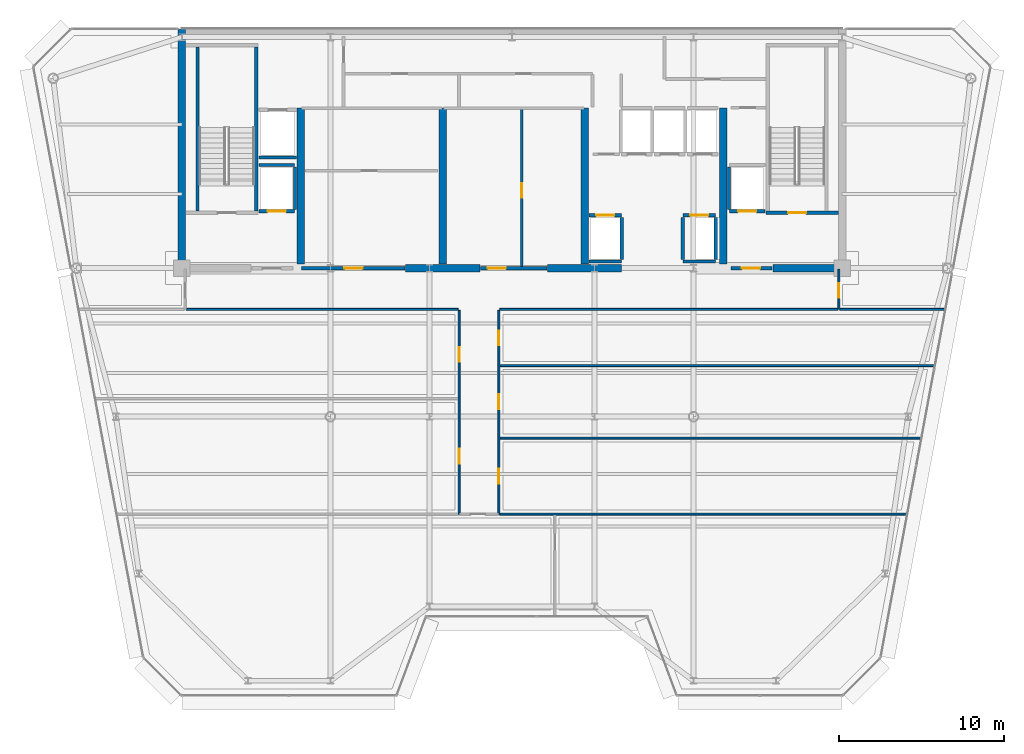
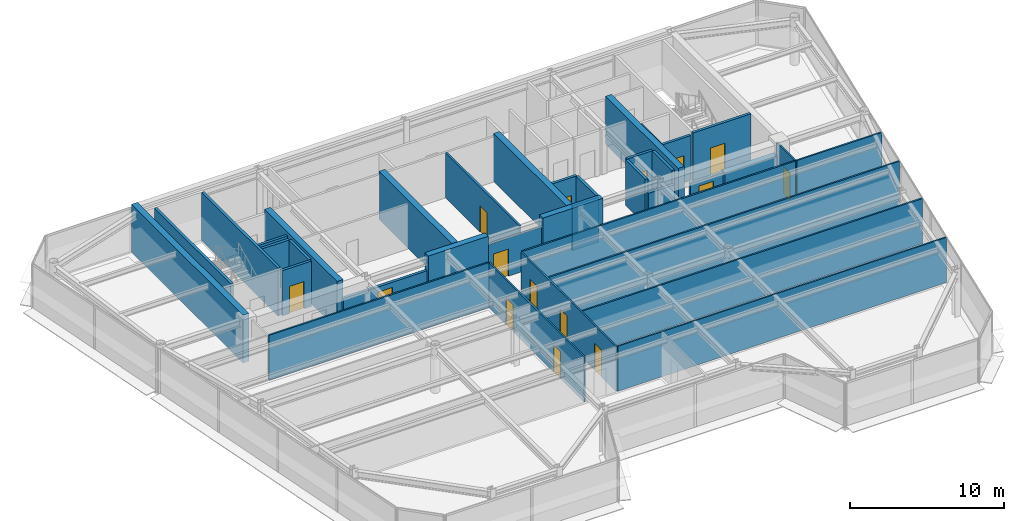
# One storey, part 10 of 18: 37 walls, 15 doors, 15 openings.
"""IFC4 building model written with IfcOpenShell, lengths in metres."""

from ifc_helpers import new_model, si_unit, direction, frame, frame_2d, origin, place, context, subcontext, project, spatial, rectangle, extrude, source, transform, mapped, material, layer, layer_set, type_object, element, fill, save


model = new_model("IFC4")

# Units and contexts
model_context = context("Model", 3, precision=1e-05, world=origin(), true_north=direction((0.0, 1.0)))
body_context = subcontext(model_context, "Body", "Model", "MODEL_VIEW")
ifc_project = project(units=[si_unit("LENGTHUNIT", "METRE"), si_unit("AREAUNIT", "SQUARE_METRE"), si_unit("VOLUMEUNIT", "CUBIC_METRE"), si_unit("PLANEANGLEUNIT", "RADIAN"), si_unit("MASSUNIT", "GRAM", prefix="KILO")], contexts=[model_context])

# Site, building, storey
site_placement = place(None, origin())
site = spatial("IfcSite", under=ifc_project, at=site_placement, CompositionType="ELEMENT")
building_placement = place(site_placement, origin())
building = spatial("IfcBuilding", under=site, at=building_placement, Name="Vaeldorn Concourse Tower", CompositionType="ELEMENT")
storey_placement = place(building_placement, frame((0.0, 0.0, 261.199951171875)))
storey = spatial("IfcBuildingStorey", under=building, at=storey_placement, Name="L67", CompositionType="ELEMENT", Elevation=261.199951171875)

# Walls
ifc_material_1 = material(Name="Concrete C50/60", Category="concrete")
ifc_layer_1 = layer(ifc_material_1, 0.449951171875)
ifc_layer_set_1 = layer_set([ifc_layer_1], Name="Concrete C50/60")
wall_type_1 = type_object("IfcWallType", Name="WL-CORE-450", PredefinedType="SHEAR", material=ifc_layer_set_1)
wall_1_placement = place(storey_placement, frame((14.0, 36.5, 0.0), z_axis=(0.0, 0.0, 1.0), x_axis=(0.0, 1.0, 0.0)))
element("IfcWall", 1, at=wall_1_placement, inside=storey, type_object=wall_type_1, Name="Rear Core Shear Wall L67 W1", PredefinedType="SHEAR", context=body_context, shape_type="SweptSolid", body=[
    extrude(rectangle(XDim=14.5, YDim=0.449951171875, at=frame_2d((7.25, 0.0))), origin(), (0.0, 0.0, 1.0), 3.800048828125),
])
for number, where, z_axis, x_axis, name in (
    (2, (27.550048828125, 36.5, 0.0), (0.0, 0.0, 1.0), (1.0, 0.0, 0.0), "Rear Core Shear Wall L67 S2"),
    (3, (36.14990234375, 36.5, 0.0), (0.0, 0.0, 1.0), (1.0, 0.0, 0.0), "Rear Core Shear Wall L67 S3"),
):
    element("IfcWall", number, at=place(storey_placement, frame(where, z_axis=z_axis, x_axis=x_axis)), inside=storey, type_object=wall_type_1, Name=name, PredefinedType="SHEAR", context=body_context, shape_type="SweptSolid", body=[
        extrude(rectangle(XDim=4.5, YDim=0.449951171875, at=frame_2d((2.25, 0.0))), origin(), (0.0, 0.0, 1.0), 3.800048828125),
    ])
wall_2_placement = place(storey_placement, frame((49.800048828125, 36.5, 0.0), z_axis=(0.0, 0.0, 1.0), x_axis=(1.0, 0.0, 0.0)))
element("IfcWall", 4, at=wall_2_placement, inside=storey, type_object=wall_type_1, Name="Rear Core Shear Wall L67 S4", PredefinedType="SHEAR", context=body_context, shape_type="SweptSolid", body=[
    extrude(rectangle(XDim=3.954833984375, YDim=0.449951171875, at=frame_2d((1.9775390625, 0.0))), origin(), (0.0, 0.0, 1.0), 2.580078125),
])
for number, where, z_axis, x_axis, name in (
    (5, (21.199951171875, 36.7451171875, 0.0), (0.0, 0.0, 1.0), (0.0, 1.0, 0.0), "Rear Core Shear Wall L67 M1"),
    (6, (29.800048828125, 36.7451171875, 0.0), (0.0, 0.0, 1.0), (0.0, 1.0, 0.0), "Rear Core Shear Wall L67 M2"),
    (7, (38.39990234375, 36.7451171875, 0.0), (0.0, 0.0, 1.0), (0.0, 1.0, 0.0), "Rear Core Shear Wall L67 M3"),
    (8, (46.800048828125, 36.7451171875, 0.0), (0.0, 0.0, 1.0), (0.0, 1.0, 0.0), "Rear Core Shear Wall L67 M4"),
):
    element("IfcWall", number, at=place(storey_placement, frame(where, z_axis=z_axis, x_axis=x_axis)), inside=storey, type_object=wall_type_1, Name=name, PredefinedType="SHEAR", context=body_context, shape_type="SweptSolid", body=[
        extrude(rectangle(XDim=9.454833984375, YDim=0.449951171875, at=frame_2d((4.7275390625, 0.0))), origin(), (0.0, 0.0, 1.0), 3.800048828125),
    ])
ifc_material_2 = material(Name="Gypsum Board Partition", Category="gypsum")
ifc_layer_2 = layer(ifc_material_2, 0.1201171875)
ifc_layer_set_2 = layer_set([ifc_layer_2], Name="Gypsum Board Partition")
wall_type_2 = type_object("IfcWallType", Name="WL-PART-120", PredefinedType="PARTITIONING", material=ifc_layer_set_2)
wall_3_placement = place(storey_placement, frame((14.260009765625, 34.0, 0.0), z_axis=(0.0, 0.0, 1.0), x_axis=(1.0, 0.0, 0.0)))
element("IfcWall", 9, at=wall_3_placement, inside=storey, type_object=wall_type_2, Name="Interior Wall PW-L67-C3SW", PredefinedType="PARTITIONING", context=body_context, shape_type="SweptSolid", body=[
    extrude(rectangle(XDim=16.47998046875, YDim=0.1201171875, at=frame_2d((8.239990234375, 0.0))), origin(), (0.0, 0.0, 1.0), 3.580078125),
])
wall_4_placement = place(storey_placement, frame((33.260009765625, 34.0, 0.0), z_axis=(0.0, 0.0, 1.0), x_axis=(1.0, 0.0, 0.0)))
element("IfcWall", 10, at=wall_4_placement, inside=storey, type_object=wall_type_2, Name="Interior Wall PW-L67-C3SE", PredefinedType="PARTITIONING", context=body_context, shape_type="SweptSolid", body=[
    extrude(rectangle(XDim=20.47998046875, YDim=0.1201171875, at=frame_2d((10.239990234375, 0.0))), origin(), (0.0, 0.0, 1.0), 3.580078125),
])

# Wall, opening, door
wall_5_placement = place(storey_placement, frame((53.800048828125, 34.0, 0.0), z_axis=(0.0, 0.0, 1.0), x_axis=(0.0, 1.0, 0.0)))
wall_5 = element("IfcWall", 11, at=wall_5_placement, inside=storey, type_object=wall_type_2, Name="Interior Wall PW-L67-C3E", PredefinedType="PARTITIONING", context=body_context, shape_type="SweptSolid", body=[
    extrude(rectangle(XDim=2.43994140625, YDim=0.1201171875, at=frame_2d((1.219970703125, 0.0))), origin(), (0.0, 0.0, 1.0), 3.580078125),
])
opening_1_placement = place(wall_5_placement, frame((0.699951171875, 0.0, 0.0)))
opening_1 = element("IfcOpeningElement", 12, at=opening_1_placement, cuts=wall_5, Name="Opening D-03", PredefinedType="OPENING", context=body_context, shape_type="SweptSolid", body=[
    extrude(rectangle(XDim=0.89990234375, YDim=2.14990234375, at=frame_2d((0.449951171875, 1.074951171875))), frame((0.0, 0.070068359375, 0.0), z_axis=(0.0, -1.0, 0.0), x_axis=(1.0, 0.0, 0.0)), (0.0, 0.0, 1.0), 0.14013671875),
])
ifc_material_3 = material(Name="Acoustic Bronze-Framed Glass Door", Category="glass")
door_type_1 = type_object("IfcDoorType", Name="DR-INT-900", OperationType="NOTDEFINED", PredefinedType="DOOR", material=ifc_material_3)
shared_shape_1 = source(origin(), body_context, "Body", "SweptSolid", [
    extrude(rectangle(XDim=0.89990234375, YDim=2.14990234375, at=frame_2d((0.449951171875, 1.074951171875))), frame((0.0, 0.02490234375, 0.0), z_axis=(0.0, -1.0, 0.0), x_axis=(1.0, 0.0, 0.0)), (0.0, 0.0, 1.0), 0.050048828125),
])
door_1_placement = place(opening_1_placement, origin())
door_1 = element("IfcDoor", 13, at=door_1_placement, inside=storey, type_object=door_type_1, Name="Interior Door DR-L67-Z3NE", OperationType="SINGLE_SWING_RIGHT", OverallHeight=2.14990234375, OverallWidth=0.89990234375, PredefinedType="DOOR", context=body_context, shape_type="MappedRepresentation", body=[
    mapped(shared_shape_1, transform((0.0, 0.0, 0.0), scale=1.0)),
])
fill(opening_1, door_1)

# Wall, openings, doors
wall_6_placement = place(storey_placement, frame((30.800048828125, 21.60009765625, 0.0), z_axis=(0.0, 0.0, 1.0), x_axis=(0.0, 1.0, 0.0)))
wall_6 = element("IfcWall", 14, at=wall_6_placement, inside=storey, type_object=wall_type_2, Name="Interior Wall PW-L67-CSPW", PredefinedType="PARTITIONING", context=body_context, shape_type="SweptSolid", body=[
    extrude(rectangle(XDim=12.33984375, YDim=0.1201171875, at=frame_2d((6.169921875, 0.0))), origin(), (0.0, 0.0, 1.0), 3.580078125),
])
opening_2_placement = place(wall_6_placement, frame((3.050048828125, 0.0, 0.0)))
opening_2 = element("IfcOpeningElement", 15, at=opening_2_placement, cuts=wall_6, Name="Opening D-03", PredefinedType="OPENING", context=body_context, shape_type="SweptSolid", body=[
    extrude(rectangle(XDim=0.89990234375, YDim=2.14990234375, at=frame_2d((0.449951171875, 1.074951171875))), frame((0.0, 0.070068359375, 0.0), z_axis=(0.0, -1.0, 0.0), x_axis=(1.0, 0.0, 0.0)), (0.0, 0.0, 1.0), 0.14013671875),
])
opening_3_placement = place(wall_6_placement, frame((9.219970703125, 0.0, 0.0)))
opening_3 = element("IfcOpeningElement", 16, at=opening_3_placement, cuts=wall_6, Name="Opening D-03", PredefinedType="OPENING", context=body_context, shape_type="SweptSolid", body=[
    extrude(rectangle(XDim=0.89990234375, YDim=2.14990234375, at=frame_2d((0.449951171875, 1.074951171875))), frame((0.0, 0.070068359375, 0.0), z_axis=(0.0, -1.0, 0.0), x_axis=(1.0, 0.0, 0.0)), (0.0, 0.0, 1.0), 0.14013671875),
])
door_2_placement = place(opening_2_placement, origin())
door_2 = element("IfcDoor", 17, at=door_2_placement, inside=storey, type_object=door_type_1, Name="Interior Door DR-L67-Z3W1", OperationType="SINGLE_SWING_LEFT", OverallHeight=2.14990234375, OverallWidth=0.89990234375, PredefinedType="DOOR", context=body_context, shape_type="MappedRepresentation", body=[
    mapped(shared_shape_1, transform((0.0, 0.0, 0.0), scale=1.0)),
])
fill(opening_2, door_2)
door_3_placement = place(opening_3_placement, origin())
door_3 = element("IfcDoor", 18, at=door_3_placement, inside=storey, type_object=door_type_1, Name="Interior Door DR-L67-Z3W2", OperationType="SINGLE_SWING_RIGHT", OverallHeight=2.14990234375, OverallWidth=0.89990234375, PredefinedType="DOOR", context=body_context, shape_type="MappedRepresentation", body=[
    mapped(shared_shape_1, transform((0.0, 0.0, 0.0), scale=1.0)),
])
fill(opening_3, door_3)

wall_7_placement = place(storey_placement, frame((33.199951171875, 21.60009765625, 0.0), z_axis=(0.0, 0.0, 1.0), x_axis=(0.0, 1.0, 0.0)))
wall_7 = element("IfcWall", 19, at=wall_7_placement, inside=storey, type_object=wall_type_2, Name="Interior Wall PW-L67-CSPE", PredefinedType="PARTITIONING", context=body_context, shape_type="SweptSolid", body=[
    extrude(rectangle(XDim=12.33984375, YDim=0.1201171875, at=frame_2d((6.169921875, 0.0))), origin(), (0.0, 0.0, 1.0), 3.580078125),
])
opening_4_placement = place(wall_7_placement, frame((1.85009765625, 0.0, 0.0)))
opening_4 = element("IfcOpeningElement", 20, at=opening_4_placement, cuts=wall_7, Name="Opening D-03", PredefinedType="OPENING", context=body_context, shape_type="SweptSolid", body=[
    extrude(rectangle(XDim=0.89990234375, YDim=2.14990234375, at=frame_2d((0.449951171875, 1.074951171875))), frame((0.0, 0.070068359375, 0.0), z_axis=(0.0, -1.0, 0.0), x_axis=(1.0, 0.0, 0.0)), (0.0, 0.0, 1.0), 0.14013671875),
])
opening_5_placement = place(wall_7_placement, frame((6.35009765625, 0.0, 0.0)))
opening_5 = element("IfcOpeningElement", 21, at=opening_5_placement, cuts=wall_7, Name="Opening D-03", PredefinedType="OPENING", context=body_context, shape_type="SweptSolid", body=[
    extrude(rectangle(XDim=0.89990234375, YDim=2.14990234375, at=frame_2d((0.449951171875, 1.074951171875))), frame((0.0, 0.070068359375, 0.0), z_axis=(0.0, -1.0, 0.0), x_axis=(1.0, 0.0, 0.0)), (0.0, 0.0, 1.0), 0.14013671875),
])
opening_6_placement = place(wall_7_placement, frame((10.219970703125, 0.0, 0.0)))
opening_6 = element("IfcOpeningElement", 22, at=opening_6_placement, cuts=wall_7, Name="Opening D-03", PredefinedType="OPENING", context=body_context, shape_type="SweptSolid", body=[
    extrude(rectangle(XDim=0.89990234375, YDim=2.14990234375, at=frame_2d((0.449951171875, 1.074951171875))), frame((0.0, 0.070068359375, 0.0), z_axis=(0.0, -1.0, 0.0), x_axis=(1.0, 0.0, 0.0)), (0.0, 0.0, 1.0), 0.14013671875),
])
door_4_placement = place(opening_4_placement, origin())
door_4 = element("IfcDoor", 23, at=door_4_placement, inside=storey, type_object=door_type_1, Name="Interior Door DR-L67-Z3E1", OperationType="SINGLE_SWING_RIGHT", OverallHeight=2.14990234375, OverallWidth=0.89990234375, PredefinedType="DOOR", context=body_context, shape_type="MappedRepresentation", body=[
    mapped(shared_shape_1, transform((0.0, 0.0, 0.0), scale=1.0)),
])
fill(opening_4, door_4)
door_5_placement = place(opening_5_placement, origin())
door_5 = element("IfcDoor", 24, at=door_5_placement, inside=storey, type_object=door_type_1, Name="Interior Door DR-L67-Z3E2", OperationType="SINGLE_SWING_LEFT", OverallHeight=2.14990234375, OverallWidth=0.89990234375, PredefinedType="DOOR", context=body_context, shape_type="MappedRepresentation", body=[
    mapped(shared_shape_1, transform((0.0, 0.0, 0.0), scale=1.0)),
])
fill(opening_5, door_5)
door_6_placement = place(opening_6_placement, origin())
door_6 = element("IfcDoor", 25, at=door_6_placement, inside=storey, type_object=door_type_1, Name="Interior Door DR-L67-Z3E3", OperationType="SINGLE_SWING_RIGHT", OverallHeight=2.14990234375, OverallWidth=0.89990234375, PredefinedType="DOOR", context=body_context, shape_type="MappedRepresentation", body=[
    mapped(shared_shape_1, transform((0.0, 0.0, 0.0), scale=1.0)),
])
fill(opening_6, door_6)

# Walls
wall_8_placement = place(storey_placement, frame((53.860107421875, 34.0, 0.0), z_axis=(0.0, 0.0, 1.0), x_axis=(1.0, 0.0, 0.0)))
element("IfcWall", 26, at=wall_8_placement, inside=storey, type_object=wall_type_2, Name="Interior Wall PW-L67-Z3NEB", PredefinedType="PARTITIONING", context=body_context, shape_type="SweptSolid", body=[
    extrude(rectangle(XDim=6.36279296875, YDim=0.1201171875, at=frame_2d((3.181396484375, 0.0))), origin(), (0.0, 0.0, 1.0), 3.580078125),
])
wall_9_placement = place(storey_placement, frame((33.260009765625, 26.199951171875, 0.0), z_axis=(0.0, 0.0, 1.0), x_axis=(1.0, 0.0, 0.0)))
element("IfcWall", 27, at=wall_9_placement, inside=storey, type_object=wall_type_2, Name="Interior Wall PW-L67-Z3EY1", PredefinedType="PARTITIONING", context=body_context, shape_type="SweptSolid", body=[
    extrude(rectangle(XDim=25.510498046875, YDim=0.1201171875, at=frame_2d((12.75537109375, 0.0))), origin(), (0.0, 0.0, 1.0), 3.580078125),
])
wall_10_placement = place(storey_placement, frame((33.260009765625, 30.60009765625, 0.0), z_axis=(0.0, 0.0, 1.0), x_axis=(1.0, 0.0, 0.0)))
element("IfcWall", 28, at=wall_10_placement, inside=storey, type_object=wall_type_2, Name="Interior Wall PW-L67-Z3EY2", PredefinedType="PARTITIONING", context=body_context, shape_type="SweptSolid", body=[
    extrude(rectangle(XDim=26.329833984375, YDim=0.1201171875, at=frame_2d((13.1650390625, 0.0))), origin(), (0.0, 0.0, 1.0), 3.580078125),
])
wall_11_placement = place(storey_placement, frame((33.260009765625, 21.60009765625, 0.0), z_axis=(0.0, 0.0, 1.0), x_axis=(1.0, 0.0, 0.0)))
element("IfcWall", 29, at=wall_11_placement, inside=storey, type_object=wall_type_2, Name="Interior Wall PW-L67-Z3SEL", PredefinedType="PARTITIONING", context=body_context, shape_type="SweptSolid", body=[
    extrude(rectangle(XDim=24.65380859375, YDim=0.1201171875, at=frame_2d((12.326904296875, 0.0))), origin(), (0.0, 0.0, 1.0), 3.580078125),
])

# Wall, opening, door
ifc_layer_3 = layer(ifc_material_2, 0.14990234375)
ifc_layer_set_3 = layer_set([ifc_layer_3], Name="Gypsum Board Partition")
wall_type_3 = type_object("IfcWallType", Name="WL-PART-150", PredefinedType="PARTITIONING", material=ifc_layer_set_3)
wall_12_placement = place(storey_placement, frame((34.60009765625, 36.56005859375, 0.0), z_axis=(0.0, 0.0, 1.0), x_axis=(0.0, 1.0, 0.0)))
wall_12 = element("IfcWall", 30, at=wall_12_placement, inside=storey, type_object=wall_type_3, Name="Interior Wall CW-L67-R2M", PredefinedType="PARTITIONING", context=body_context, shape_type="SweptSolid", body=[
    extrude(rectangle(XDim=9.579833984375, YDim=0.14990234375, at=frame_2d((4.7900390625, 0.0))), origin(), (0.0, 0.0, 1.0), 3.580078125),
])
opening_7_placement = place(wall_12_placement, frame((4.199951171875, 0.0, 0.0)))
opening_7 = element("IfcOpeningElement", 31, at=opening_7_placement, cuts=wall_12, Name="Opening D-02", PredefinedType="OPENING", context=body_context, shape_type="SweptSolid", body=[
    extrude(rectangle(XDim=0.89990234375, YDim=2.10009765625, at=frame_2d((0.449951171875, 1.050048828125))), frame((0.0, 0.0849609375, 0.0), z_axis=(0.0, -1.0, 0.0), x_axis=(1.0, 0.0, 0.0)), (0.0, 0.0, 1.0), 0.169921875),
])
ifc_material_4 = material(Name="Fire-Rated Timber Leaf", Category="wood")
door_type_2 = type_object("IfcDoorType", Name="DR-FD30-900", OperationType="NOTDEFINED", PredefinedType="DOOR", material=ifc_material_4)
shared_shape_2 = source(origin(), body_context, "Body", "SweptSolid", [
    extrude(rectangle(XDim=0.89990234375, YDim=2.10009765625, at=frame_2d((0.449951171875, 1.050048828125))), frame((0.0, 0.02490234375, 0.0), z_axis=(0.0, -1.0, 0.0), x_axis=(1.0, 0.0, 0.0)), (0.0, 0.0, 1.0), 0.050048828125),
])
door_7_placement = place(opening_7_placement, origin())
door_7 = element("IfcDoor", 32, at=door_7_placement, inside=storey, type_object=door_type_2, Name="Interior Door DR-L67-R2E", OperationType="SINGLE_SWING_RIGHT", OverallHeight=2.10009765625, OverallWidth=0.89990234375, PredefinedType="DOOR", context=body_context, shape_type="MappedRepresentation", body=[
    mapped(shared_shape_2, transform((0.0, 0.0, 0.0), scale=1.0)),
])
fill(opening_7, door_7)

# Walls
ifc_layer_4 = layer(ifc_material_1, 0.199951171875)
ifc_layer_set_4 = layer_set([ifc_layer_4], Name="Concrete C50/60")
wall_type_4 = type_object("IfcWallType", Name="WL-SHAFT-200", PredefinedType="SOLIDWALL", material=ifc_layer_set_4)
for number, where, z_axis, x_axis, name in (
    (33, (14.949951171875, 39.9599609375, 0.0), (0.0, 0.0, 1.0), (0.0, 1.0, 0.0), "Stair Shaft Wall CW-L67-ST-1-W"),
    (34, (18.5, 39.9599609375, 0.0), (0.0, 0.0, 1.0), (0.0, 1.0, 0.0), "Stair Shaft Wall CW-L67-ST-1-E"),
):
    element("IfcWall", number, at=place(storey_placement, frame(where, z_axis=z_axis, x_axis=x_axis)), inside=storey, type_object=wall_type_4, Name=name, PredefinedType="SOLIDWALL", context=body_context, shape_type="SweptSolid", body=[
        extrude(rectangle(XDim=9.929931640625, YDim=0.199951171875, at=frame_2d((4.96484375, 0.0))), origin(), (0.0, 0.0, 1.0), 3.800048828125),
    ])

# Wall, opening, door
wall_13_placement = place(storey_placement, frame((49.39990234375, 39.85009765625, 0.0), z_axis=(0.0, 0.0, 1.0), x_axis=(1.0, 0.0, 0.0)))
wall_13 = element("IfcWall", 35, at=wall_13_placement, inside=storey, type_object=wall_type_4, Name="Stair Shaft Wall CW-L67-ST-2-S", PredefinedType="SOLIDWALL", context=body_context, shape_type="SweptSolid", body=[
    extrude(rectangle(XDim=4.375, YDim=0.199951171875, at=frame_2d((2.1875, 0.0))), origin(), (0.0, 0.0, 1.0), 3.800048828125),
])
opening_8_placement = place(wall_13_placement, frame((1.324951171875, 0.0, 0.0)))
opening_8 = element("IfcOpeningElement", 36, at=opening_8_placement, cuts=wall_13, Name="Opening D-01", PredefinedType="OPENING", context=body_context, shape_type="SweptSolid", body=[
    extrude(rectangle(XDim=1.10009765625, YDim=2.14990234375, at=frame_2d((0.550048828125, 1.074951171875))), frame((0.0, 0.10986328125, 0.0), z_axis=(0.0, -1.0, 0.0), x_axis=(1.0, 0.0, 0.0)), (0.0, 0.0, 1.0), 0.219970703125),
])
ifc_material_5 = material(Name="Fire-Rated Timber and Steel Leaf", Category="steel")
door_type_3 = type_object("IfcDoorType", Name="DR-FD60-1100", OperationType="NOTDEFINED", PredefinedType="DOOR", material=ifc_material_5)
shared_shape_3 = source(origin(), body_context, "Body", "SweptSolid", [
    extrude(rectangle(XDim=1.10009765625, YDim=2.14990234375, at=frame_2d((0.550048828125, 1.074951171875))), frame((0.0, 0.02490234375, 0.0), z_axis=(0.0, -1.0, 0.0), x_axis=(1.0, 0.0, 0.0)), (0.0, 0.0, 1.0), 0.050048828125),
])
door_8_placement = place(opening_8_placement, origin())
door_8 = element("IfcDoor", 37, at=door_8_placement, inside=storey, type_object=door_type_3, Name="Interior Door DR-L67-ST-2", OperationType="SINGLE_SWING_RIGHT", OverallHeight=2.14990234375, OverallWidth=1.10009765625, PredefinedType="DOOR", context=body_context, shape_type="MappedRepresentation", body=[
    mapped(shared_shape_3, transform((0.0, 0.0, 0.0), scale=1.0)),
])
fill(opening_8, door_8)

wall_14_placement = place(storey_placement, frame((47.280029296875, 36.5, 0.0), z_axis=(0.0, 0.0, 1.0), x_axis=(1.0, 0.0, 0.0)))
wall_14 = element("IfcWall", 38, at=wall_14_placement, inside=storey, type_object=wall_type_4, Name="Interior Wall CW-L67-FF2S", PredefinedType="SOLIDWALL", context=body_context, shape_type="SweptSolid", body=[
    extrude(rectangle(XDim=2.469970703125, YDim=0.199951171875, at=frame_2d((1.23486328125, 0.0))), origin(), (0.0, 0.0, 1.0), 2.570068359375),
])
opening_9_placement = place(wall_14_placement, frame((0.64990234375, 0.0, 0.0)))
opening_9 = element("IfcOpeningElement", 39, at=opening_9_placement, cuts=wall_14, Name="Opening D-01", PredefinedType="OPENING", context=body_context, shape_type="SweptSolid", body=[
    extrude(rectangle(XDim=1.10009765625, YDim=2.14990234375, at=frame_2d((0.550048828125, 1.074951171875))), frame((0.0, 0.10986328125, 0.0), z_axis=(0.0, -1.0, 0.0), x_axis=(1.0, 0.0, 0.0)), (0.0, 0.0, 1.0), 0.219970703125),
])
door_9_placement = place(opening_9_placement, origin())
door_9 = element("IfcDoor", 40, at=door_9_placement, inside=storey, type_object=door_type_3, Name="Interior Door DR-L67-FF2W", OperationType="SINGLE_SWING_LEFT", OverallHeight=2.14990234375, OverallWidth=1.10009765625, PredefinedType="DOOR", context=body_context, shape_type="MappedRepresentation", body=[
    mapped(shared_shape_3, transform((0.0, 0.0, 0.0), scale=1.0)),
])
fill(opening_9, door_9)

wall_15_placement = place(storey_placement, frame((38.669921875, 39.699951171875, 0.0), z_axis=(0.0, 0.0, 1.0), x_axis=(1.0, 0.0, 0.0)))
wall_15 = element("IfcWall", 41, at=wall_15_placement, inside=storey, type_object=wall_type_4, Name="Interior Wall CW-L67-LF-LF-13", PredefinedType="SOLIDWALL", context=body_context, shape_type="SweptSolid", body=[
    extrude(rectangle(XDim=1.9599609375, YDim=0.199951171875, at=frame_2d((0.97998046875, 0.0))), origin(), (0.0, 0.0, 1.0), 3.580078125),
])
opening_10_placement = place(wall_15_placement, frame((0.429931640625, 0.0, 0.0)))
opening_10 = element("IfcOpeningElement", 42, at=opening_10_placement, cuts=wall_15, Name="Opening LD-1", PredefinedType="OPENING", context=body_context, shape_type="SweptSolid", body=[
    extrude(rectangle(XDim=1.10009765625, YDim=2.14990234375, at=frame_2d((0.550048828125, 1.074951171875))), frame((0.0, 0.10986328125, 0.0), z_axis=(0.0, -1.0, 0.0), x_axis=(1.0, 0.0, 0.0)), (0.0, 0.0, 1.0), 0.219970703125),
])
ifc_material_6 = material(Name="Anodised Bronze Aluminium", Category="aluminium")
door_type_4 = type_object("IfcDoorType", Name="DR-LIFT-SLIDE-1100", OperationType="DOUBLE_DOOR_SLIDING", PredefinedType="DOOR", material=ifc_material_6)
door_10_placement = place(opening_10_placement, origin())
door_10 = element("IfcDoor", 43, at=door_10_placement, inside=storey, type_object=door_type_4, Name="Lift Landing Door LD-L67-LF-13", OperationType="DOUBLE_DOOR_SLIDING", OverallHeight=2.14990234375, OverallWidth=1.10009765625, PredefinedType="DOOR", context=body_context, shape_type="MappedRepresentation", body=[
    mapped(shared_shape_3, transform((0.0, 0.0, 0.0), scale=1.0)),
])
fill(opening_10, door_10)

# Walls
wall_16_placement = place(storey_placement, frame((38.669921875, 36.89990234375, 0.0), z_axis=(0.0, 0.0, 1.0), x_axis=(1.0, 0.0, 0.0)))
element("IfcWall", 44, at=wall_16_placement, inside=storey, type_object=wall_type_4, Name="Interior Wall CW-L67-LFB-LF-13", PredefinedType="SOLIDWALL", context=body_context, shape_type="SweptSolid", body=[
    extrude(rectangle(XDim=1.9599609375, YDim=0.199951171875, at=frame_2d((0.97998046875, 0.0))), origin(), (0.0, 0.0, 1.0), 3.580078125),
])
wall_17_placement = place(storey_placement, frame((40.64990234375, 37.02001953125, 0.0), z_axis=(0.0, 0.0, 1.0), x_axis=(0.0, 1.0, 0.0)))
element("IfcWall", 45, at=wall_17_placement, inside=storey, type_object=wall_type_4, Name="Interior Wall CW-L67-LFE-LF-13", PredefinedType="SOLIDWALL", context=body_context, shape_type="SweptSolid", body=[
    extrude(rectangle(XDim=2.56005859375, YDim=0.199951171875, at=frame_2d((1.280029296875, 0.0))), origin(), (0.0, 0.0, 1.0), 3.580078125),
])

# Wall, opening, door
wall_18_placement = place(storey_placement, frame((44.3701171875, 39.699951171875, 0.0), z_axis=(0.0, 0.0, 1.0), x_axis=(1.0, 0.0, 0.0)))
wall_18 = element("IfcWall", 46, at=wall_18_placement, inside=storey, type_object=wall_type_4, Name="Interior Wall CW-L67-LF-LF-14", PredefinedType="SOLIDWALL", context=body_context, shape_type="SweptSolid", body=[
    extrude(rectangle(XDim=1.9599609375, YDim=0.199951171875, at=frame_2d((0.97998046875, 0.0))), origin(), (0.0, 0.0, 1.0), 3.580078125),
])
opening_11_placement = place(wall_18_placement, frame((0.429931640625, 0.0, 0.0)))
opening_11 = element("IfcOpeningElement", 47, at=opening_11_placement, cuts=wall_18, Name="Opening LD-1", PredefinedType="OPENING", context=body_context, shape_type="SweptSolid", body=[
    extrude(rectangle(XDim=1.10009765625, YDim=2.14990234375, at=frame_2d((0.550048828125, 1.074951171875))), frame((0.0, 0.10986328125, 0.0), z_axis=(0.0, -1.0, 0.0), x_axis=(1.0, 0.0, 0.0)), (0.0, 0.0, 1.0), 0.219970703125),
])
door_11_placement = place(opening_11_placement, origin())
door_11 = element("IfcDoor", 48, at=door_11_placement, inside=storey, type_object=door_type_4, Name="Lift Landing Door LD-L67-LF-14", OperationType="DOUBLE_DOOR_SLIDING", OverallHeight=2.14990234375, OverallWidth=1.10009765625, PredefinedType="DOOR", context=body_context, shape_type="MappedRepresentation", body=[
    mapped(shared_shape_3, transform((0.0, 0.0, 0.0), scale=1.0)),
])
fill(opening_11, door_11)

# Walls
wall_19_placement = place(storey_placement, frame((44.3701171875, 36.89990234375, 0.0), z_axis=(0.0, 0.0, 1.0), x_axis=(1.0, 0.0, 0.0)))
element("IfcWall", 49, at=wall_19_placement, inside=storey, type_object=wall_type_4, Name="Interior Wall CW-L67-LFB-LF-14", PredefinedType="SOLIDWALL", context=body_context, shape_type="SweptSolid", body=[
    extrude(rectangle(XDim=1.9599609375, YDim=0.199951171875, at=frame_2d((0.97998046875, 0.0))), origin(), (0.0, 0.0, 1.0), 2.570068359375),
])
for number, where, z_axis, x_axis, name in (
    (50, (44.35009765625, 37.02001953125, 0.0), (0.0, 0.0, 1.0), (0.0, 1.0, 0.0), "Interior Wall CW-L67-LFW-LF-14"),
    (51, (46.35009765625, 37.02001953125, 0.0), (0.0, 0.0, 1.0), (0.0, 1.0, 0.0), "Interior Wall CW-L67-LFE-LF-14"),
):
    element("IfcWall", number, at=place(storey_placement, frame(where, z_axis=z_axis, x_axis=x_axis)), inside=storey, type_object=wall_type_4, Name=name, PredefinedType="SOLIDWALL", context=body_context, shape_type="SweptSolid", body=[
        extrude(rectangle(XDim=2.56005859375, YDim=0.199951171875, at=frame_2d((1.280029296875, 0.0))), origin(), (0.0, 0.0, 1.0), 3.580078125),
    ])
wall_20_placement = place(storey_placement, frame((18.669921875, 43.199951171875, 0.0), z_axis=(0.0, 0.0, 1.0), x_axis=(1.0, 0.0, 0.0)))
element("IfcWall", 52, at=wall_20_placement, inside=storey, type_object=wall_type_4, Name="Interior Wall CW-L67-LFB-LF-SV1", PredefinedType="SOLIDWALL", context=body_context, shape_type="SweptSolid", body=[
    extrude(rectangle(XDim=2.260009765625, YDim=0.199951171875, at=frame_2d((1.1298828125, 0.0))), origin(), (0.0, 0.0, 1.0), 3.580078125),
])

# Wall, opening, door
wall_21_placement = place(storey_placement, frame((18.669921875, 39.949951171875, 0.0), z_axis=(0.0, 0.0, 1.0), x_axis=(1.0, 0.0, 0.0)))
wall_21 = element("IfcWall", 53, at=wall_21_placement, inside=storey, type_object=wall_type_4, Name="Interior Wall CW-L67-LF-LF-FF1", PredefinedType="SOLIDWALL", context=body_context, shape_type="SweptSolid", body=[
    extrude(rectangle(XDim=2.16015625, YDim=0.199951171875, at=frame_2d((1.080078125, 0.0))), origin(), (0.0, 0.0, 1.0), 3.580078125),
])
opening_12_placement = place(wall_21_placement, frame((0.530029296875, 0.0, 0.0)))
opening_12 = element("IfcOpeningElement", 54, at=opening_12_placement, cuts=wall_21, Name="Opening LD-1", PredefinedType="OPENING", context=body_context, shape_type="SweptSolid", body=[
    extrude(rectangle(XDim=1.10009765625, YDim=2.14990234375, at=frame_2d((0.550048828125, 1.074951171875))), frame((0.0, 0.10986328125, 0.0), z_axis=(0.0, -1.0, 0.0), x_axis=(1.0, 0.0, 0.0)), (0.0, 0.0, 1.0), 0.219970703125),
])
door_12_placement = place(opening_12_placement, origin())
door_12 = element("IfcDoor", 55, at=door_12_placement, inside=storey, type_object=door_type_4, Name="Lift Landing Door LD-L67-LF-FF1", OperationType="DOUBLE_DOOR_SLIDING", OverallHeight=2.14990234375, OverallWidth=1.10009765625, PredefinedType="DOOR", context=body_context, shape_type="MappedRepresentation", body=[
    mapped(shared_shape_3, transform((0.0, 0.0, 0.0), scale=1.0)),
])
fill(opening_12, door_12)

# Walls
wall_22_placement = place(storey_placement, frame((18.669921875, 42.75, 0.0), z_axis=(0.0, 0.0, 1.0), x_axis=(1.0, 0.0, 0.0)))
element("IfcWall", 56, at=wall_22_placement, inside=storey, type_object=wall_type_4, Name="Interior Wall CW-L67-LFB-LF-FF1", PredefinedType="SOLIDWALL", context=body_context, shape_type="SweptSolid", body=[
    extrude(rectangle(XDim=2.16015625, YDim=0.199951171875, at=frame_2d((1.080078125, 0.0))), origin(), (0.0, 0.0, 1.0), 3.580078125),
])
wall_23_placement = place(storey_placement, frame((20.85009765625, 40.070068359375, 0.0), z_axis=(0.0, 0.0, 1.0), x_axis=(0.0, 1.0, 0.0)))
element("IfcWall", 57, at=wall_23_placement, inside=storey, type_object=wall_type_4, Name="Interior Wall CW-L67-LFE-LF-FF1", PredefinedType="SOLIDWALL", context=body_context, shape_type="SweptSolid", body=[
    extrude(rectangle(XDim=2.559814453125, YDim=0.199951171875, at=frame_2d((1.27978515625, 0.0))), origin(), (0.0, 0.0, 1.0), 3.580078125),
])

# Wall, opening, door
wall_24_placement = place(storey_placement, frame((47.169921875, 39.949951171875, 0.0), z_axis=(0.0, 0.0, 1.0), x_axis=(1.0, 0.0, 0.0)))
wall_24 = element("IfcWall", 58, at=wall_24_placement, inside=storey, type_object=wall_type_4, Name="Interior Wall CW-L67-LF-LF-FF2", PredefinedType="SOLIDWALL", context=body_context, shape_type="SweptSolid", body=[
    extrude(rectangle(XDim=2.16015625, YDim=0.199951171875, at=frame_2d((1.080078125, 0.0))), origin(), (0.0, 0.0, 1.0), 3.580078125),
])
opening_13_placement = place(wall_24_placement, frame((0.530029296875, 0.0, 0.0)))
opening_13 = element("IfcOpeningElement", 59, at=opening_13_placement, cuts=wall_24, Name="Opening LD-1", PredefinedType="OPENING", context=body_context, shape_type="SweptSolid", body=[
    extrude(rectangle(XDim=1.10009765625, YDim=2.14990234375, at=frame_2d((0.550048828125, 1.074951171875))), frame((0.0, 0.10986328125, 0.0), z_axis=(0.0, -1.0, 0.0), x_axis=(1.0, 0.0, 0.0)), (0.0, 0.0, 1.0), 0.219970703125),
])
door_13_placement = place(opening_13_placement, origin())
door_13 = element("IfcDoor", 60, at=door_13_placement, inside=storey, type_object=door_type_4, Name="Lift Landing Door LD-L67-LF-FF2", OperationType="DOUBLE_DOOR_SLIDING", OverallHeight=2.14990234375, OverallWidth=1.10009765625, PredefinedType="DOOR", context=body_context, shape_type="MappedRepresentation", body=[
    mapped(shared_shape_3, transform((0.0, 0.0, 0.0), scale=1.0)),
])
fill(opening_13, door_13)

# Wall
wall_25_placement = place(storey_placement, frame((47.14990234375, 40.070068359375, 0.0), z_axis=(0.0, 0.0, 1.0), x_axis=(0.0, 1.0, 0.0)))
element("IfcWall", 61, at=wall_25_placement, inside=storey, type_object=wall_type_4, Name="Interior Wall CW-L67-LFW-LF-FF2", PredefinedType="SOLIDWALL", context=body_context, shape_type="SweptSolid", body=[
    extrude(rectangle(XDim=2.559814453125, YDim=0.199951171875, at=frame_2d((1.27978515625, 0.0))), origin(), (0.0, 0.0, 1.0), 3.580078125),
])

# Wall, opening, door
wall_26_placement = place(storey_placement, frame((21.25, 36.5, 0.0), z_axis=(0.0, 0.0, 1.0), x_axis=(1.0, 0.0, 0.0)))
wall_26 = element("IfcWall", 62, at=wall_26_placement, inside=storey, type_object=wall_type_4, Name="Interior Wall CW-L67-R1S", PredefinedType="SOLIDWALL", context=body_context, shape_type="SweptSolid", body=[
    extrude(rectangle(XDim=6.27001953125, YDim=0.199951171875, at=frame_2d((3.135009765625, 0.0))), origin(), (0.0, 0.0, 1.0), 2.570068359375),
])
opening_14_placement = place(wall_26_placement, frame((2.60009765625, 0.0, 0.0)))
opening_14 = element("IfcOpeningElement", 63, at=opening_14_placement, cuts=wall_26, Name="Opening D-01", PredefinedType="OPENING", context=body_context, shape_type="SweptSolid", body=[
    extrude(rectangle(XDim=1.10009765625, YDim=2.14990234375, at=frame_2d((0.550048828125, 1.074951171875))), frame((0.0, 0.10986328125, 0.0), z_axis=(0.0, -1.0, 0.0), x_axis=(1.0, 0.0, 0.0)), (0.0, 0.0, 1.0), 0.219970703125),
])
door_14_placement = place(opening_14_placement, origin())
door_14 = element("IfcDoor", 64, at=door_14_placement, inside=storey, type_object=door_type_3, Name="Interior Door DR-L67-R1S", OperationType="SINGLE_SWING_LEFT", OverallHeight=2.14990234375, OverallWidth=1.10009765625, PredefinedType="DOOR", context=body_context, shape_type="MappedRepresentation", body=[
    mapped(shared_shape_3, transform((0.0, 0.0, 0.0), scale=1.0)),
])
fill(opening_14, door_14)

wall_27_placement = place(storey_placement, frame((32.080078125, 36.5, 0.0), z_axis=(0.0, 0.0, 1.0), x_axis=(1.0, 0.0, 0.0)))
wall_27 = element("IfcWall", 65, at=wall_27_placement, inside=storey, type_object=wall_type_4, Name="Interior Wall CW-L67-R2S", PredefinedType="SOLIDWALL", context=body_context, shape_type="SweptSolid", body=[
    extrude(rectangle(XDim=4.0400390625, YDim=0.199951171875, at=frame_2d((2.02001953125, 0.0))), origin(), (0.0, 0.0, 1.0), 3.02001953125),
])
opening_15_placement = place(wall_27_placement, frame((0.449951171875, 0.0, 0.0)))
opening_15 = element("IfcOpeningElement", 66, at=opening_15_placement, cuts=wall_27, Name="Opening D-01", PredefinedType="OPENING", context=body_context, shape_type="SweptSolid", body=[
    extrude(rectangle(XDim=1.10009765625, YDim=2.14990234375, at=frame_2d((0.550048828125, 1.074951171875))), frame((0.0, 0.10986328125, 0.0), z_axis=(0.0, -1.0, 0.0), x_axis=(1.0, 0.0, 0.0)), (0.0, 0.0, 1.0), 0.219970703125),
])
door_15_placement = place(opening_15_placement, origin())
door_15 = element("IfcDoor", 67, at=door_15_placement, inside=storey, type_object=door_type_3, Name="Interior Door DR-L67-R2W", OperationType="SINGLE_SWING_LEFT", OverallHeight=2.14990234375, OverallWidth=1.10009765625, PredefinedType="DOOR", context=body_context, shape_type="MappedRepresentation", body=[
    mapped(shared_shape_3, transform((0.0, 0.0, 0.0), scale=1.0)),
])
fill(opening_15, door_15)

save(model, "model.ifc")
